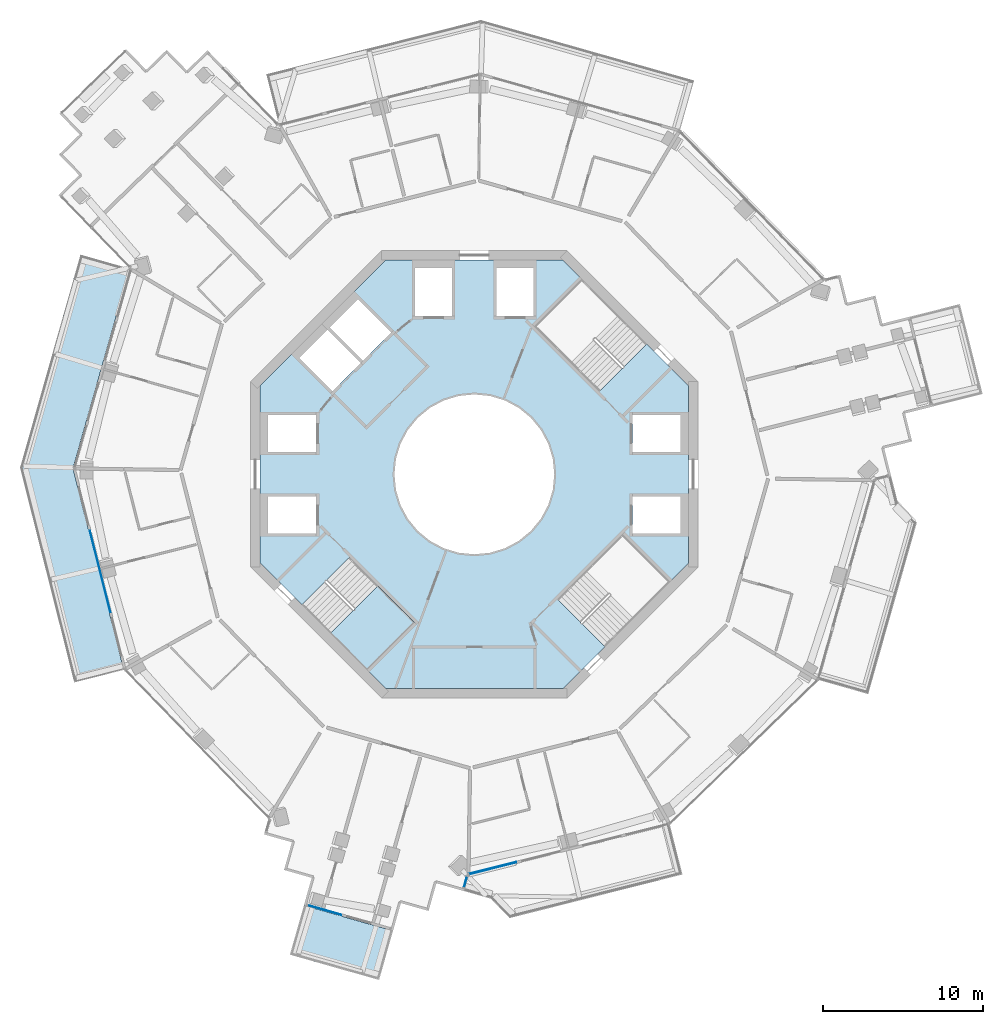
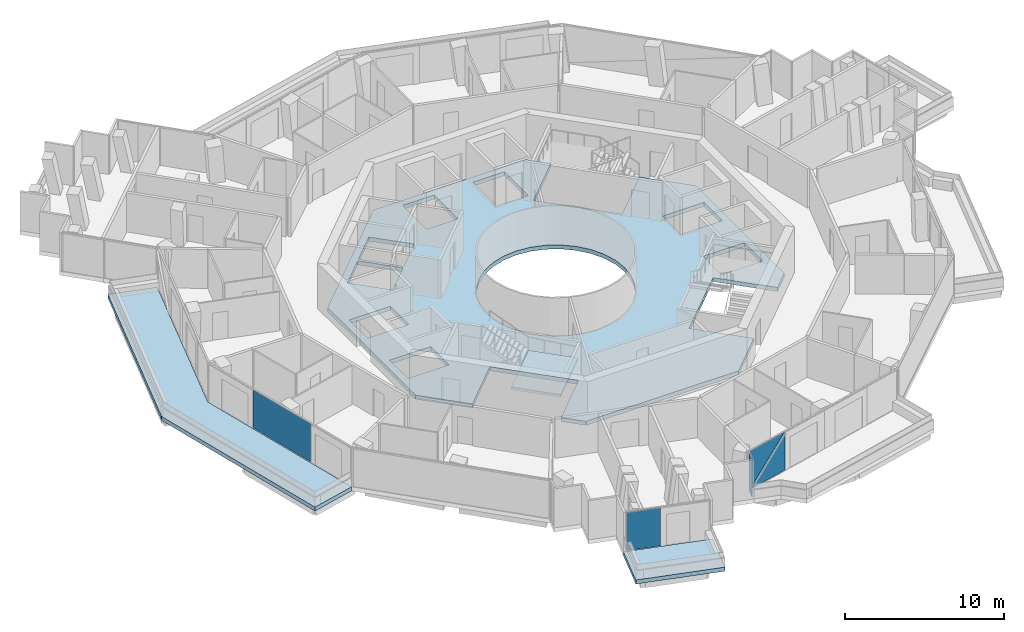
# One storey, part 12 of 24: 5 plates, 4 slabs, 5 elements without a shape of their own.
"""IFC4 building model written with IfcOpenShell, lengths in metres."""

import ifcopenshell
import ifcopenshell.guid

model = None  # the IFC model being written
_history = None  # IfcOwnerHistory: only IFC2X3 demands one
_inside = {}  # id of a spatial element -> (the spatial element, [elements in it])
_under = {}  # id of a project, library or spatial element -> (it, [spatial elements below it])
_declared = {}  # id of a project -> (the project, [libraries it declares])
_typed = {}  # id of a type object -> (the type object, [elements of that type])
_made_of = {}  # id of a material, layer set ... -> (it, [elements and type objects made of it])


def new_model(schema):
    """Start an empty IFC model of exactly this schema.

    Asked for "IFC4X3", IfcOpenShell would pick the latest addendum, in which some entities
    have other attributes; the version numbers below select the first issue.
    IFC2X3 requires an IfcOwnerHistory on every rooted entity: one is made here for all.
    """
    global model, _history
    if schema == "IFC4X3":
        model = ifcopenshell.file(schema_version=(4, 3, 0, 0))
    else:
        model = ifcopenshell.file(schema=schema)
    _inside.clear()
    _under.clear()
    _declared.clear()
    _typed.clear()
    _made_of.clear()
    _history = None
    if model.schema == "IFC2X3":
        org = make("IfcOrganization", Name="unknown")
        user = make(
            "IfcPersonAndOrganization",
            ThePerson=make("IfcPerson", FamilyName="unknown"),
            TheOrganization=org,
        )
        app = make(
            "IfcApplication",
            ApplicationDeveloper=org,
            Version="unknown",
            ApplicationFullName="unknown",
            ApplicationIdentifier="unknown",
        )
        _history = make(
            "IfcOwnerHistory",
            OwningUser=user,
            OwningApplication=app,
            ChangeAction="ADDED",
            CreationDate=0,
        )
    return model


def make(cls, **values):
    """One entity of the class cls with the attributes given. An attribute that is None is left unset."""
    return model.create_entity(
        cls, **{name: value for name, value in values.items() if value is not None}
    )


def rooted(cls, **values):
    """An entity with a GlobalId (a new one), such as an element, a storey or a relation."""
    return make(cls, GlobalId=ifcopenshell.guid.new(), OwnerHistory=_history, **values)


def si_unit(unit_type, name, prefix=None):
    """IfcSIUnit, for example si_unit("LENGTHUNIT", "METRE", prefix="MILLI")."""
    return make("IfcSIUnit", UnitType=unit_type, Prefix=prefix, Name=name)


def assignment(units):
    """IfcUnitAssignment: the units of a project."""
    return None if units is None else make("IfcUnitAssignment", Units=units)


def point(xyz):
    """IfcCartesianPoint."""
    return None if xyz is None else make("IfcCartesianPoint", Coordinates=xyz)


def direction(xyz):
    """IfcDirection."""
    return None if xyz is None else make("IfcDirection", DirectionRatios=xyz)


def frame(location, z_axis=None, x_axis=None):
    """IfcAxis2Placement3D, a coordinate frame: its origin and axes. An axis left out is left unset."""
    return make(
        "IfcAxis2Placement3D",
        Location=point(location),
        Axis=direction(z_axis),
        RefDirection=direction(x_axis),
    )


def frame_2d(location, x_axis=None):
    """IfcAxis2Placement2D, a coordinate frame in the plane: its origin and x axis."""
    return make(
        "IfcAxis2Placement2D", Location=point(location), RefDirection=direction(x_axis)
    )


def origin():
    """The frame at (0, 0, 0) with its axes left unset."""
    return frame((0.0, 0.0, 0.0))


def origin_2d():
    """The frame at (0, 0) in the plane with its x axis left unset."""
    return frame_2d((0.0, 0.0))


def place(relative_to, where):
    """IfcLocalPlacement: puts the frame where relative to a parent placement (None: the world)."""
    return make(
        "IfcLocalPlacement", PlacementRelTo=relative_to, RelativePlacement=where
    )


def context(
    kind, dimensions, precision=None, world=None, true_north=None, identifier=None
):
    """IfcGeometricRepresentationContext, for example the 3D "Model" context."""
    return make(
        "IfcGeometricRepresentationContext",
        ContextIdentifier=identifier,
        ContextType=kind,
        CoordinateSpaceDimension=dimensions,
        Precision=precision,
        WorldCoordinateSystem=world,
        TrueNorth=true_north,
    )


def subcontext(parent, identifier, kind, view, scale=None):
    """IfcGeometricRepresentationSubContext, for example "Body" below "Model"."""
    return make(
        "IfcGeometricRepresentationSubContext",
        ContextIdentifier=identifier,
        ContextType=kind,
        ParentContext=parent,
        TargetScale=scale,
        TargetView=view,
    )


def project(units=None, contexts=None):
    """IfcProject with its units and contexts."""
    return rooted(
        "IfcProject",
        Name="project",
        RepresentationContexts=contexts,
        UnitsInContext=assignment(units),
    )


def spatial(cls, under=None, at=None, **own):
    """A site, building, storey or space (cls), placed at a placement, below another one or the project."""
    s = rooted(cls, ObjectPlacement=at, **own)
    if under is not None:
        _under.setdefault(under.id(), (under, []))[1].append(s)
    return s


def polyline(points):
    """IfcPolyline through the points."""
    return make("IfcPolyline", Points=[point(p) for p in points])


def profile(cls, at=None, kind="AREA", **sizes):
    """A parametric profile (cls). Its sizes go by their IFC names, for example OverallWidth=200.0."""
    return make(cls, ProfileType=kind, Position=at, **sizes)


def rectangle(**sizes):
    """IfcRectangleProfileDef."""
    return profile("IfcRectangleProfileDef", **sizes)


def outline(outer, holes=None, kind="AREA"):
    """IfcArbitraryClosedProfileDef: a profile drawn as a closed curve; with holes, ...WithVoids."""
    if holes is None:
        return make("IfcArbitraryClosedProfileDef", ProfileType=kind, OuterCurve=outer)
    return make(
        "IfcArbitraryProfileDefWithVoids",
        ProfileType=kind,
        OuterCurve=outer,
        InnerCurves=holes,
    )


def extrude(swept, where, along, depth):
    """IfcExtrudedAreaSolid: the profile swept, set in the frame where, extruded along a direction by depth."""
    return make(
        "IfcExtrudedAreaSolid",
        SweptArea=swept,
        Position=where,
        ExtrudedDirection=direction(along),
        Depth=depth,
    )


def shape(context_of_items, identifier, shape_type, items):
    """IfcShapeRepresentation: the items that make up one representation, for example the "Body"."""
    return make(
        "IfcShapeRepresentation",
        ContextOfItems=context_of_items,
        RepresentationIdentifier=identifier,
        RepresentationType=shape_type,
        Items=items,
    )


def material(Name=None, Category=None):
    """IfcMaterial."""
    return make("IfcMaterial", Name=Name, Category=Category)


def layer(
    of_material, thickness, ventilated=None, Name=None, Category=None, Priority=None
):
    """IfcMaterialLayer: one layer of a wall or slab, of a material (None: an air gap)."""
    return make(
        "IfcMaterialLayer",
        Material=of_material,
        LayerThickness=thickness,
        IsVentilated=ventilated,
        Name=Name,
        Category=Category,
        Priority=Priority,
    )


def layer_set(layers, Name=None):
    """IfcMaterialLayerSet."""
    return make("IfcMaterialLayerSet", MaterialLayers=layers, LayerSetName=Name)


def made_of(thing, what):
    """Note that an element or type object is made of a material, layer set ...; save() writes the relation."""
    if what is not None:
        _made_of.setdefault(what.id(), (what, []))[1].append(thing)
    return thing


def type_object(cls, material=None, **own):
    """A type object (cls), such as IfcWallType, which elements share."""
    return made_of(rooted(cls, **own), material)


def element(
    cls,
    number,
    at=None,
    inside=None,
    cuts=None,
    type_object=None,
    material=None,
    context=None,
    identifier="Body",
    shape_type=None,
    held_by="IfcProductDefinitionShape",
    body=None,
    shapes=None,
    **own,
):
    """One element of the class cls, such as IfcWall. Its Tag is "e" and its number.

    at: its placement. inside: the storey or other place that contains it. cuts: it is an
    opening in that element (IfcRelVoidsElement). A single representation is given by context,
    identifier, shape_type and body (its items); several are given by shapes. held_by: the class
    of the entity that holds the representations. save() writes the other relations.
    """
    e = rooted(cls, Tag="e%d" % number, ObjectPlacement=at, **own)
    if body is not None:
        shapes = [shape(context, identifier, shape_type, body)]
    if shapes is not None:
        e.Representation = make(held_by, Representations=shapes)
    if inside is not None:
        _inside.setdefault(inside.id(), (inside, []))[1].append(e)
    if cuts is not None:
        rooted(
            "IfcRelVoidsElement", RelatingBuildingElement=cuts, RelatedOpeningElement=e
        )
    if type_object is not None:
        _typed.setdefault(type_object.id(), (type_object, []))[1].append(e)
    return made_of(e, material)


def aggregate(whole, parts):
    """IfcRelAggregates: a whole, such as a stair, and the parts it consists of."""
    return rooted("IfcRelAggregates", RelatingObject=whole, RelatedObjects=parts)


def save(model, path):
    """Write the relations noted so far, then the file.

    IfcRelAggregates (storeys below a building ...), IfcRelContainedInSpatialStructure (elements
    in a storey), IfcRelDefinesByType, IfcRelAssociatesMaterial and IfcRelDeclares: one each for
    every whole, place, type object, material and project.
    """
    for whole, parts in _under.values():
        aggregate(whole, parts)
    for where, things in _inside.values():
        rooted(
            "IfcRelContainedInSpatialStructure",
            RelatedElements=things,
            RelatingStructure=where,
        )
    for kind, things in _typed.values():
        rooted("IfcRelDefinesByType", RelatedObjects=things, RelatingType=kind)
    for what, things in _made_of.values():
        rooted("IfcRelAssociatesMaterial", RelatedObjects=things, RelatingMaterial=what)
    for by, libraries in _declared.values():
        rooted("IfcRelDeclares", RelatingContext=by, RelatedDefinitions=libraries)
    model.write(path)


model = new_model("IFC4")

# Units and contexts
model_context = context("Model", 3, precision=1e-05, world=origin(), true_north=direction((0.0, 1.0)))
body_context = subcontext(model_context, "Body", "Model", "MODEL_VIEW")
ifc_project = project(units=[si_unit("LENGTHUNIT", "METRE"), si_unit("AREAUNIT", "SQUARE_METRE"), si_unit("VOLUMEUNIT", "CUBIC_METRE"), si_unit("PLANEANGLEUNIT", "RADIAN"), si_unit("MASSUNIT", "GRAM", prefix="KILO")], contexts=[model_context])

# Site, building, storey
site_placement = place(None, origin())
site = spatial("IfcSite", under=ifc_project, at=site_placement, CompositionType="ELEMENT")
building_placement = place(site_placement, origin())
building = spatial("IfcBuilding", under=site, at=building_placement, Name="Verdalira Terraces Hotel", CompositionType="ELEMENT")
storey_placement = place(building_placement, frame((0.0, 0.0, 212.5)))
storey = spatial("IfcBuildingStorey", under=building, at=storey_placement, Name="L52", CompositionType="ELEMENT", Elevation=212.5)

# Slabs
ifc_material_1 = material(Name="Precast concrete C40/50", Category="concrete")
ifc_layer_1 = layer(ifc_material_1, 0.31005859375)
ifc_layer_set_1 = layer_set([ifc_layer_1], Name="Balcony deck 310")
slab_type_1 = type_object("IfcSlabType", Name="Balcony deck 310", PredefinedType="FLOOR", material=ifc_layer_set_1)
slab_1_placement = place(storey_placement, frame((0.0, 0.0, -0.310059)))
element("IfcSlab", 1, at=slab_1_placement, inside=storey, type_object=slab_type_1, Name="Balcony deck", PredefinedType="FLOOR", context=body_context, shape_type="SweptSolid", body=[
    extrude(outline(polyline([(-28.423828, 0.416748), (-25.033936, -13.019531), (-21.931152, -12.236816), (-25.111328, 0.368164), (-21.562988, 12.874512), (-24.641602, 13.748047), (-28.423828, 0.416748)])), origin(), (0.0, 0.0, 1.0), 0.310059),
])
slab_2_placement = place(storey_placement, frame((0.0, 0.0, -0.310059)))
element("IfcSlab", 2, at=slab_2_placement, inside=storey, type_object=slab_type_1, Name="Balcony deck", PredefinedType="FLOOR", context=body_context, shape_type="SweptSolid", body=[
    extrude(outline(polyline([(-5.960449, -31.632568), (-5.087158, -28.553955), (-10.666748, -26.970947), (-11.540283, -30.049561), (-5.960449, -31.632568)])), origin(), (0.0, 0.0, 1.0), 0.310059),
])

# Curtain wall, plate
ifc_material_2 = material(Name="Clear glass", Category="glass")
ifc_layer_2 = layer(ifc_material_2, 0.14990234375)
ifc_layer_set_2 = layer_set([ifc_layer_2], Name="CW1 curtain wall")
curtain_wall_type_1 = type_object("IfcCurtainWallType", Name="CW1 curtain wall", PredefinedType="NOTDEFINED", material=ifc_layer_set_2)
curtain_wall_1_placement = place(storey_placement, origin())
curtain_wall_1 = element("IfcCurtainWall", 3, at=curtain_wall_1_placement, inside=storey, type_object=curtain_wall_type_1, Name="CW1 curtain wall L52 edge 12", PredefinedType="NOTDEFINED")
ifc_material_3 = material(Name="Clear glass", Category="glass")
ifc_layer_3 = layer(ifc_material_3, 0.028076171875)
ifc_layer_set_3 = layer_set([ifc_layer_3], Name="CW1 glass unit 28")
plate_type_1 = type_object("IfcPlateType", Name="CW1 glass unit 28", PredefinedType="CURTAIN_PANEL", material=ifc_layer_set_3)
plate_1_placement = place(storey_placement, frame((-23.407227, -6.079346, 0.0), z_axis=(0.0, 0.0, 1.0), x_axis=(0.244630526, -0.96961637, 0.0)))
plate_1 = element("IfcPlate", 4, at=plate_1_placement, type_object=plate_type_1, Name="CW1 glass unit", PredefinedType="CURTAIN_PANEL", context=body_context, shape_type="SweptSolid", body=[
    extrude(rectangle(XDim=5.245117, YDim=0.028076, at=origin_2d()), origin(), (0.0, 0.0, 1.0), 2.935059),
])
aggregate(curtain_wall_1, [plate_1])

# Curtain wall, plates
curtain_wall_2_placement = place(storey_placement, origin())
curtain_wall_2 = element("IfcCurtainWall", 5, at=curtain_wall_2_placement, inside=storey, type_object=curtain_wall_type_1, Name="CW1 curtain wall L52 edge 25", PredefinedType="NOTDEFINED")
plate_2_placement = place(storey_placement, frame((1.14209, -24.638428, 1.467529), z_axis=(0.244630526, -0.96961637, 0.0), x_axis=(0.96961637, 0.244630526, 0.0)))
plate_2 = element("IfcPlate", 6, at=plate_2_placement, type_object=plate_type_1, Name="CW1 glass unit", PredefinedType="CURTAIN_PANEL", context=body_context, shape_type="SweptSolid", body=[
    extrude(outline(polyline([(-1.52002, -1.467529), (1.52002, -1.467529), (1.52002, 1.467529), (-1.52002, -1.467529)])), origin(), (0.0, 0.0, 1.0), 0.028076),
])
plate_3_placement = place(storey_placement, frame((1.13501, -24.610352, 1.467529), z_axis=(0.244630526, -0.96961637, 0.0), x_axis=(0.96961637, 0.244630526, 0.0)))
plate_3 = element("IfcPlate", 7, at=plate_3_placement, type_object=plate_type_1, Name="CW1 glass unit", PredefinedType="CURTAIN_PANEL", context=body_context, shape_type="SweptSolid", body=[
    extrude(outline(polyline([(-1.52002, -1.467529), (1.52002, 1.467529), (-1.52002, 1.467529), (-1.52002, -1.467529)])), origin(), (0.0, 0.0, 1.0), 0.028076),
])
aggregate(curtain_wall_2, [plate_2, plate_3])

# Curtain wall, plate
ifc_material_4 = material(Name="Clear glass", Category="glass")
ifc_layer_4 = layer(ifc_material_4, 0.14990234375)
ifc_layer_set_4 = layer_set([ifc_layer_4], Name="CW2 curtain wall")
curtain_wall_type_2 = type_object("IfcCurtainWallType", Name="CW2 curtain wall", PredefinedType="NOTDEFINED", material=ifc_layer_set_4)
curtain_wall_3_placement = place(storey_placement, origin())
curtain_wall_3 = element("IfcCurtainWall", 8, at=curtain_wall_3_placement, inside=storey, type_object=curtain_wall_type_2, Name="CW2 curtain wall L52 edge 24", PredefinedType="NOTDEFINED")
ifc_material_5 = material(Name="Clear glass", Category="glass")
ifc_layer_5 = layer(ifc_material_5, 0.031982421875)
ifc_layer_set_5 = layer_set([ifc_layer_5], Name="CW2 glass unit 32")
plate_type_2 = type_object("IfcPlateType", Name="CW2 glass unit 32", PredefinedType="CURTAIN_PANEL", material=ifc_layer_set_5)
plate_4_placement = place(storey_placement, frame((-0.556396, -25.499756, 0.0), z_axis=(0.0, 0.0, 1.0), x_axis=(0.272951936, 0.962027672, 0.0)))
plate_4 = element("IfcPlate", 9, at=plate_4_placement, type_object=plate_type_2, Name="CW2 glass unit", PredefinedType="CURTAIN_PANEL", context=body_context, shape_type="SweptSolid", body=[
    extrude(rectangle(XDim=0.709961, YDim=0.031982, at=origin_2d()), origin(), (0.0, 0.0, 1.0), 2.935059),
])
aggregate(curtain_wall_3, [plate_4])

ifc_material_6 = material(Name="Clear glass", Category="glass")
ifc_layer_6 = layer(ifc_material_6, 0.14990234375)
ifc_layer_set_6 = layer_set([ifc_layer_6], Name="CW3 curtain wall")
curtain_wall_type_3 = type_object("IfcCurtainWallType", Name="CW3 curtain wall", PredefinedType="NOTDEFINED", material=ifc_layer_set_6)
curtain_wall_4_placement = place(storey_placement, origin())
curtain_wall_4 = element("IfcCurtainWall", 10, at=curtain_wall_4_placement, inside=storey, type_object=curtain_wall_type_3, Name="CW3 curtain wall L52 edge 19", PredefinedType="NOTDEFINED")
ifc_material_7 = material(Name="Clear glass", Category="glass")
ifc_layer_7 = layer(ifc_material_7, 0.035888671875)
ifc_layer_set_7 = layer_set([ifc_layer_7], Name="CW3 glass unit 36")
plate_type_3 = type_object("IfcPlateType", Name="CW3 glass unit 36", PredefinedType="CURTAIN_PANEL", material=ifc_layer_set_7)
plate_5_placement = place(storey_placement, frame((-9.376465, -27.259033, 0.0), z_axis=(0.0, 0.0, 1.0), x_axis=(0.962027672, -0.272951936, 0.0)))
plate_5 = element("IfcPlate", 11, at=plate_5_placement, type_object=plate_type_3, Name="CW3 glass unit", PredefinedType="CURTAIN_PANEL", context=body_context, shape_type="SweptSolid", body=[
    extrude(rectangle(XDim=2.179932, YDim=0.035889, at=origin_2d()), origin(), (0.0, 0.0, 1.0), 2.935059),
])
aggregate(curtain_wall_4, [plate_5])

# Slab
ifc_material_8 = material(Name="Concrete C40", Category="concrete")
ifc_layer_8 = layer(ifc_material_8, 0.31005859375)
ifc_layer_set_8 = layer_set([ifc_layer_8], Name="Core floor slab 310 mm")
slab_type_2 = type_object("IfcSlabType", Name="Core floor slab 310 mm", PredefinedType="FLOOR", material=ifc_layer_set_8)
slab_3_placement = place(storey_placement, frame((0.0, 0.0, -0.310059)))
element("IfcSlab", 12, at=slab_3_placement, inside=storey, type_object=slab_type_2, Name="L52 core floor", PredefinedType="FLOOR", context=body_context, shape_type="SweptSolid", body=[
    extrude(outline(polyline([(-6.703369, -12.24707), (-3.719482, -9.263184), (-7.799072, -5.18335), (-10.782959, -8.16748), (-13.399902, -5.550537), (-13.399902, 5.550537), (-5.550537, 13.399902), (5.550537, 13.399902), (6.703369, 12.24707), (3.719482, 9.263184), (7.799072, 5.18335), (10.782959, 8.16748), (13.399902, 5.550537), (13.399902, -5.550537), (12.24707, -6.703369), (9.263184, -3.719482), (5.18335, -7.799072), (8.16748, -10.782959), (5.550537, -13.399902), (-5.550537, -13.399902), (-6.703369, -12.24707)]), holes=[polyline([(9.899902, -1.399902), (9.899902, -3.699951), (12.899902, -3.699951), (12.899902, -1.399902), (9.899902, -1.399902)]), polyline([(9.899902, 3.699951), (9.899902, 1.399902), (12.899902, 1.399902), (12.899902, 3.699951), (9.899902, 3.699951)]), polyline([(3.699951, 12.899902), (1.399902, 12.899902), (1.399902, 9.899902), (3.699951, 9.899902), (3.699951, 12.899902)]), polyline([(-1.399902, 12.899902), (-3.699951, 12.899902), (-3.699951, 9.899902), (-1.399902, 9.899902), (-1.399902, 12.899902)]), polyline([(-9.899902, 1.399902), (-9.899902, 3.699951), (-12.899902, 3.699951), (-12.899902, 1.399902), (-9.899902, 1.399902)]), polyline([(-9.899902, -3.699951), (-9.899902, -1.399902), (-12.899902, -1.399902), (-12.899902, -3.699951), (-9.899902, -3.699951)]), polyline([(-9.051025, 9.192383), (-6.965088, 7.106445), (-5.197266, 8.874268), (-7.283203, 10.960205), (-9.051025, 9.192383)]), polyline([(-9.192383, 9.051025), (-10.960205, 7.283203), (-8.874268, 5.197266), (-7.106445, 6.965088), (-9.192383, 9.051025)]), polyline([(3.5354, 3.5354), (2.777832, 4.157227), (1.91333, 4.619385), (0.975586, 4.903809), (0.0, 5.0), (-0.975586, 4.903809), (-1.91333, 4.619385), (-2.777832, 4.157227), (-3.5354, 3.5354), (-4.157227, 2.777832), (-4.619385, 1.91333), (-4.903809, 0.975586), (-5.0, 0.0), (-4.903809, -0.975586), (-4.619385, -1.91333), (-4.157227, -2.777832), (-3.5354, -3.5354), (-2.777832, -4.157227), (-1.91333, -4.619385), (-0.975586, -4.903809), (0.0, -5.0), (0.975586, -4.903809), (1.91333, -4.619385), (2.777832, -4.157227), (3.5354, -3.5354), (4.157227, -2.777832), (4.619385, -1.91333), (4.903809, -0.975586), (5.0, 0.0), (4.903809, 0.975586), (4.619385, 1.91333), (4.157227, 2.777832), (3.5354, 3.5354)])]), origin(), (0.0, 0.0, 1.0), 0.310059),
])

# Stair, slab
ifc_material_9 = material(Name="Concrete C40", Category="concrete")
stair_type = type_object("IfcStairType", Name="Core stair 20 risers 2050 mm wide", PredefinedType="HALF_TURN_STAIR", material=ifc_material_9)
stair_placement = place(storey_placement, origin())
stair = element("IfcStair", 13, at=stair_placement, inside=storey, type_object=stair_type, Name="L52 Exit stair ST2", PredefinedType="HALF_TURN_STAIR")
ifc_material_10 = material(Name="Concrete C40", Category="concrete")
ifc_layer_9 = layer(ifc_material_10, 0.199951171875)
ifc_layer_set_9 = layer_set([ifc_layer_9], Name="Core stair landing 200 mm")
slab_type_3 = type_object("IfcSlabType", Name="Core stair landing 200 mm", PredefinedType="LANDING", material=ifc_layer_set_9)
slab_4_placement = place(storey_placement, frame((0.0, 0.0, 1.550049)))
slab_4 = element("IfcSlab", 14, at=slab_4_placement, type_object=slab_type_3, Name="ST2 landing 1", PredefinedType="LANDING", context=body_context, shape_type="SweptSolid", body=[
    extrude(outline(polyline([(-9.001709, -9.94873), (-6.717529, -12.23291), (-3.747559, -9.263184), (-6.031982, -6.97876), (-9.001709, -9.94873)])), origin(), (0.0, 0.0, 1.0), 0.199951),
])
aggregate(stair, [slab_4])

save(model, "model.ifc")
